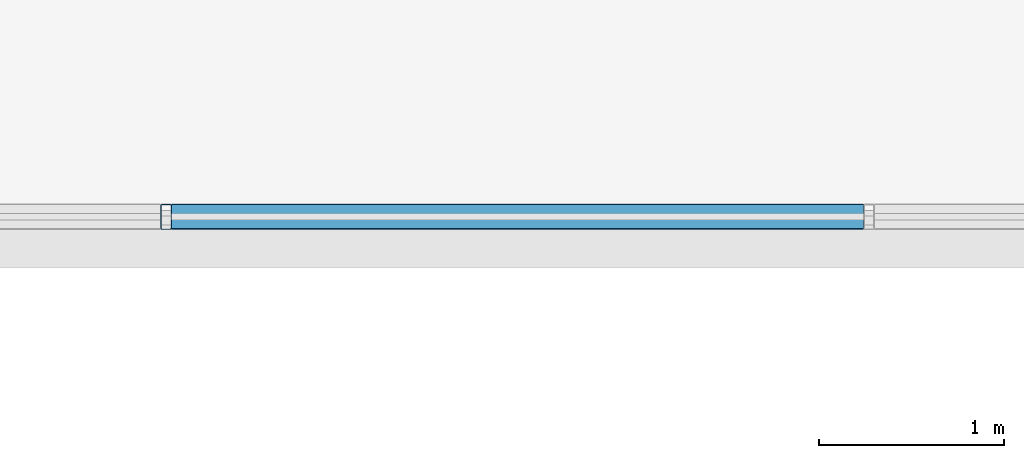
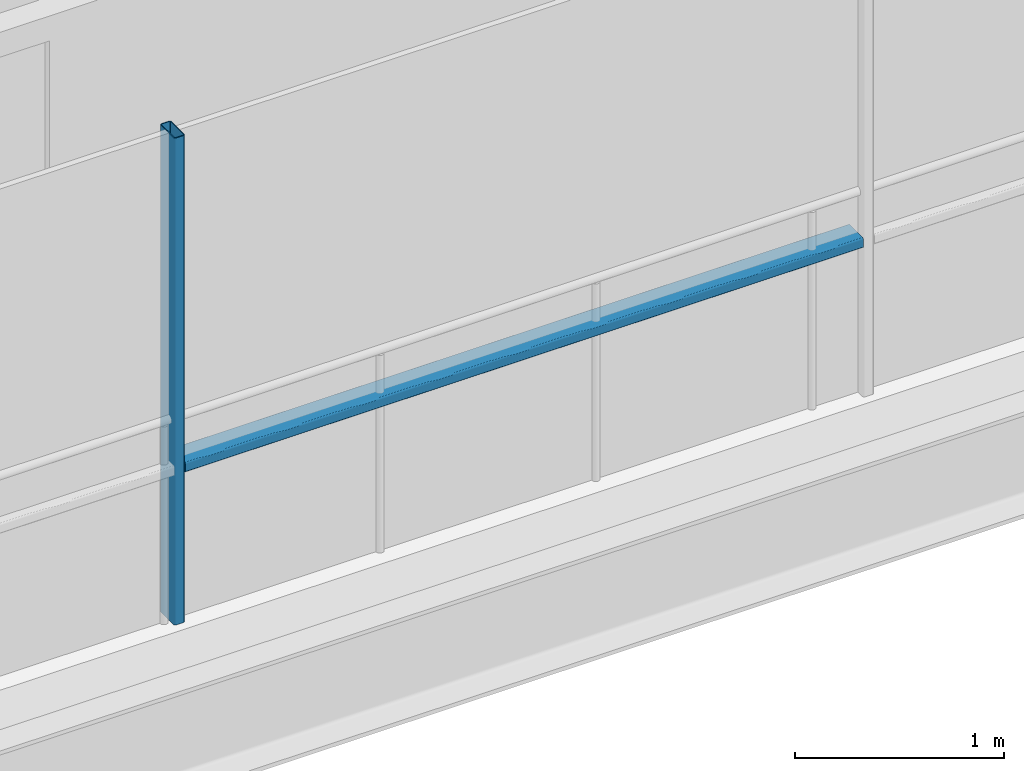
# One storey, part 11 of 41: 2 members, 1 element without a shape of its own.
"""IFC4 building model written with IfcOpenShell, lengths in metres."""

from ifc_helpers import new_model, si_unit, direction, frame, origin, origin_2d, place, context, subcontext, project, spatial, hollow_rectangle, extrude, material, layer, layer_set, material_profile, profile_set, type_object, element, aggregate, save


model = new_model("IFC4")

# Units and contexts
model_context = context("Model", 3, precision=1e-05, world=origin(), true_north=direction((0.0, 1.0)))
body_context = subcontext(model_context, "Body", "Model", "MODEL_VIEW")
ifc_project = project(units=[si_unit("LENGTHUNIT", "METRE"), si_unit("AREAUNIT", "SQUARE_METRE"), si_unit("VOLUMEUNIT", "CUBIC_METRE"), si_unit("PLANEANGLEUNIT", "RADIAN"), si_unit("MASSUNIT", "GRAM", prefix="KILO")], contexts=[model_context])

# Site, building, storey
site_placement = place(None, origin())
site = spatial("IfcSite", under=ifc_project, at=site_placement, CompositionType="ELEMENT")
building_placement = place(site_placement, origin())
building = spatial("IfcBuilding", under=site, at=building_placement, Name="Brevholm Reach", CompositionType="ELEMENT")
storey_placement = place(building_placement, frame((0.0, 0.0, 93.10009765625)))
storey = spatial("IfcBuildingStorey", under=building, at=storey_placement, Name="L27", CompositionType="ELEMENT", Elevation=93.10009765625)

# Curtain wall, members
ifc_material_1 = material(Name="Dark Anodised Aluminium 6063-T6 and Solar-Control Glass", Category="aluminium")
ifc_layer = layer(ifc_material_1, 0.139892578125)
ifc_layer_set = layer_set([ifc_layer], Name="Dark Anodised Aluminium 6063-T6 and Solar-Control Glass")
curtain_wall_type = type_object("IfcCurtainWallType", Name="CW-02", PredefinedType="NOTDEFINED", material=ifc_layer_set)
curtain_wall_placement = place(storey_placement, origin())
curtain_wall = element("IfcCurtainWall", 1, at=curtain_wall_placement, inside=storey, type_object=curtain_wall_type, Name="L27 Curtain Wall CW-02", PredefinedType="NOTDEFINED")
ifc_material_2 = material(Name="Dark Anodised Aluminium 6063-T6", Category="aluminium")
ifc_material_profile_1 = material_profile(ifc_material_2, hollow_rectangle(XDim=0.06005859375, YDim=0.139892578125, WallThickness=0.0048828125, InnerFilletRadius=0.0048828125, OuterFilletRadius=0.010009765625, at=origin_2d()), Name="RHS 140x60x5")
ifc_profile_set_1 = profile_set([ifc_material_profile_1], Name="Dark Anodised Aluminium 6063-T6")
member_type_1 = type_object("IfcMemberType", Name="CWM-140", PredefinedType="MULLION", material=ifc_profile_set_1)
member_1_placement = place(storey_placement, frame((30.050048828125, 26.6201171875, 0.0), z_axis=(0.0, 0.0, 1.0), x_axis=(-1.0, 0.0, 0.0)))
member_1 = element("IfcMember", 2, at=member_1_placement, type_object=member_type_1, Name="CM-140 Mullion 3", PredefinedType="MULLION", context=body_context, shape_type="SweptSolid", body=[
    extrude(hollow_rectangle(XDim=0.06005859375, YDim=0.139892578125, WallThickness=0.0048828125, InnerFilletRadius=0.0048828125, OuterFilletRadius=0.010009765625, at=origin_2d()), origin(), (0.0, 0.0, 1.0), 2.83984375),
])
ifc_material_3 = material(Name="Dark Anodised Aluminium 6063-T6", Category="aluminium")
ifc_material_profile_2 = material_profile(ifc_material_3, hollow_rectangle(XDim=0.06005859375, YDim=0.139892578125, WallThickness=0.0048828125, InnerFilletRadius=0.0048828125, OuterFilletRadius=0.010009765625, at=origin_2d()), Name="RHS 140x60x5")
ifc_profile_set_2 = profile_set([ifc_material_profile_2], Name="Dark Anodised Aluminium 6063-T6")
member_type_2 = type_object("IfcMemberType", Name="CWT-140", PredefinedType="NOTDEFINED", material=ifc_profile_set_2)
member_2_placement = place(storey_placement, frame((33.820068359375, 26.6201171875, 0.89990234375), z_axis=(-1.0, 0.0, 0.0), x_axis=(0.0, 0.0, 1.0)))
member_2 = element("IfcMember", 3, at=member_2_placement, type_object=member_type_2, Name="CT-140 Transom 2.1", ObjectType="TRANSOM", PredefinedType="USERDEFINED", context=body_context, shape_type="SweptSolid", body=[
    extrude(hollow_rectangle(XDim=0.06005859375, YDim=0.139892578125, WallThickness=0.0048828125, InnerFilletRadius=0.0048828125, OuterFilletRadius=0.010009765625, at=origin_2d()), origin(), (0.0, 0.0, 1.0), 3.739990234375),
])
aggregate(curtain_wall, [member_1, member_2])

save(model, "model.ifc")
